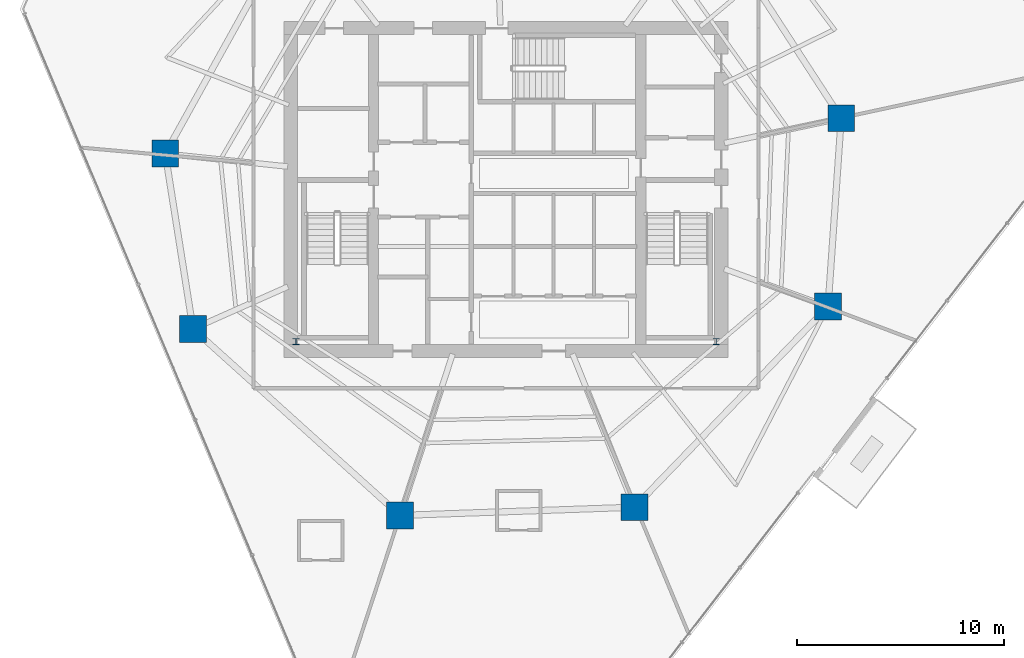
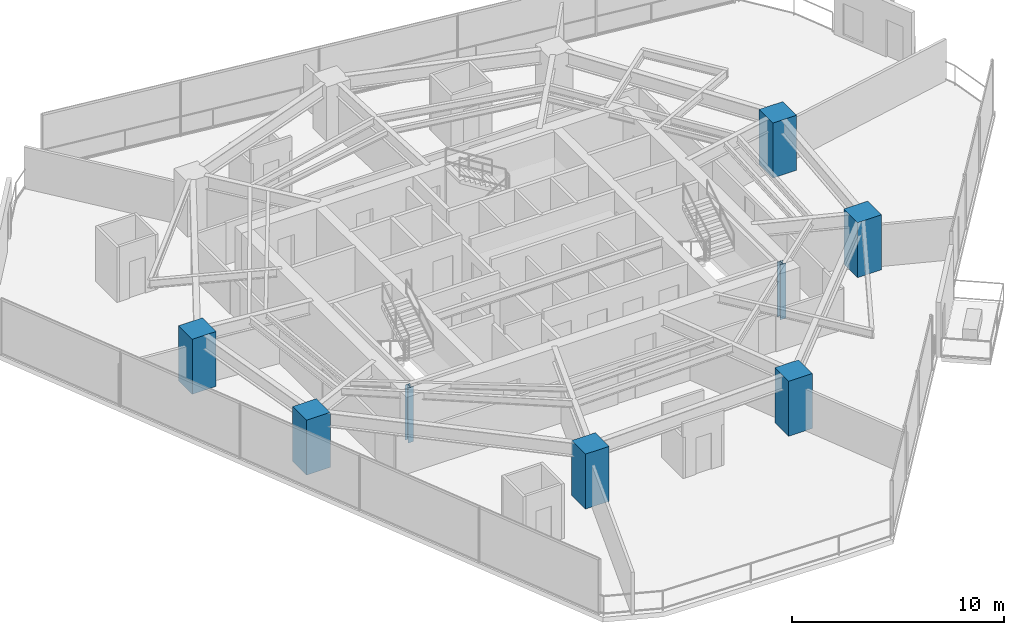
# One storey, part 1 of 30: 8 columns.
"""IFC4 building model written with IfcOpenShell, lengths in metres."""

from ifc_helpers import new_model, si_unit, direction, frame, origin, origin_2d, place, context, subcontext, project, spatial, rectangle, i_section, extrude, material, material_profile, profile_set, type_object, element, save


model = new_model("IFC4")

# Units and contexts
model_context = context("Model", 3, precision=1e-05, world=origin(), true_north=direction((0.0, 1.0)))
body_context = subcontext(model_context, "Body", "Model", "MODEL_VIEW")
ifc_project = project(units=[si_unit("LENGTHUNIT", "METRE"), si_unit("AREAUNIT", "SQUARE_METRE"), si_unit("VOLUMEUNIT", "CUBIC_METRE"), si_unit("PLANEANGLEUNIT", "RADIAN"), si_unit("MASSUNIT", "GRAM", prefix="KILO")], contexts=[model_context])

# Site, building, storey
site_placement = place(None, origin())
site = spatial("IfcSite", under=ifc_project, at=site_placement, CompositionType="ELEMENT")
building_placement = place(site_placement, origin())
building = spatial("IfcBuilding", under=site, at=building_placement, Name="Qarnah Convention Tower", CompositionType="ELEMENT")
storey_placement = place(building_placement, frame((0.0, 0.0, 40.800048828125)))
storey = spatial("IfcBuildingStorey", under=building, at=storey_placement, Name="L09", CompositionType="ELEMENT", Elevation=40.800048828125)

# Columns
ifc_material_1 = material(Name="Concrete C60/75", Category="concrete")
ifc_material_profile_1 = material_profile(ifc_material_1, rectangle(XDim=1.300048828125, YDim=1.300048828125, at=origin_2d()), Name="RC-COL-1300X1300")
ifc_profile_set_1 = profile_set([ifc_material_profile_1], Name="Concrete C60/75")
column_type_1 = type_object("IfcColumnType", Name="COL-Z1-1300", PredefinedType="COLUMN", material=ifc_profile_set_1)
for number, where, z_axis, x_axis, name in (
    (1, (53.387939453125, 29.841064453125, 0.0), (0.0, 0.0, 1.0), (1.0, 0.0, 0.0), "L09 plumb column PC-Z1-01"),
    (2, (20.740966796875, 28.1298828125, 0.0), (0.0, 0.0, 1.0), (1.0, 0.0, 0.0), "L09 plumb column PC-Z1-05"),
    (3, (22.0810546875, 19.6689453125, 0.0), (0.0, 0.0, 1.0), (1.0, 0.0, 0.0), "L09 plumb column PC-Z1-06"),
    (4, (32.0859375, 10.659912109375, 0.0), (0.0, 0.0, 1.0), (1.0, 0.0, 0.0), "L09 plumb column PC-Z1-07"),
    (5, (43.39990234375, 11.054931640625, 0.0), (0.0, 0.0, 1.0), (1.0, 0.0, 0.0), "L09 plumb column PC-Z1-08"),
    (6, (52.751953125, 20.739990234375, 0.0), (0.0, 0.0, 1.0), (1.0, 0.0, 0.0), "L09 plumb column PC-Z1-09"),
):
    element("IfcColumn", number, at=place(storey_placement, frame(where, z_axis=z_axis, x_axis=x_axis)), inside=storey, type_object=column_type_1, Name=name, PredefinedType="COLUMN", context=body_context, shape_type="SweptSolid", body=[
        extrude(rectangle(XDim=1.300048828125, YDim=1.300048828125, at=origin_2d()), origin(), (0.0, 0.0, 1.0), 3.169921875),
    ])
ifc_material_2 = material(Name="Structural steel S355JR", Category="steel")
ifc_material_profile_2 = material_profile(ifc_material_2, i_section(OverallWidth=0.300048828125, OverallDepth=0.300048828125, WebThickness=0.010986328125, FlangeThickness=0.01904296875, at=origin_2d()), Name="HEB300")
ifc_profile_set_2 = profile_set([ifc_material_profile_2], Name="Structural steel S355JR")
column_type_2 = type_object("IfcColumnType", Name="PIL-SHF-300", PredefinedType="PILASTER", material=ifc_profile_set_2)
for number, where, z_axis, x_axis, name in (
    (7, (27.050048828125, 19.050048828125, 0.0), (0.0, 0.0, 1.0), (1.0, 0.0, 0.0), "L09 core spine steel pilaster 1"),
    (8, (47.35009765625, 19.050048828125, 0.0), (0.0, 0.0, 1.0), (1.0, 0.0, 0.0), "L09 core spine steel pilaster 2"),
):
    element("IfcColumn", number, at=place(storey_placement, frame(where, z_axis=z_axis, x_axis=x_axis)), inside=storey, type_object=column_type_2, Name=name, PredefinedType="PILASTER", context=body_context, shape_type="SweptSolid", body=[
        extrude(i_section(OverallWidth=0.300048828125, OverallDepth=0.300048828125, WebThickness=0.010986328125, FlangeThickness=0.01904296875, at=origin_2d()), origin(), (0.0, 0.0, 1.0), 3.169921875),
    ])

save(model, "model.ifc")
